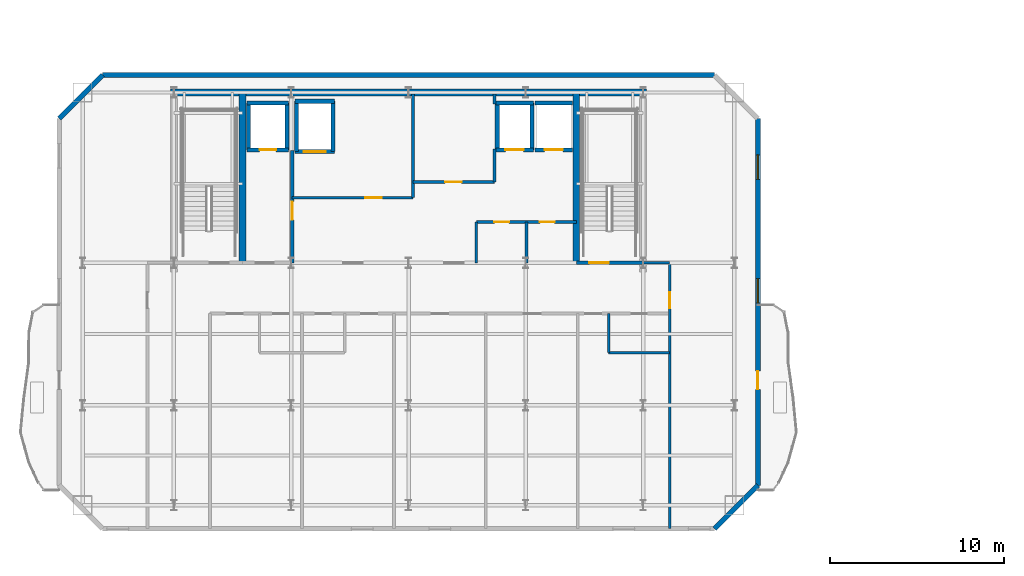
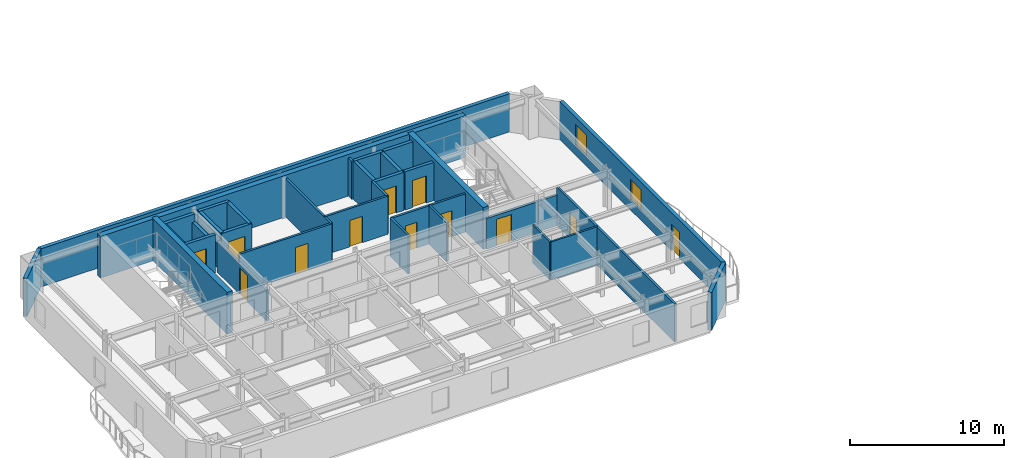
# One storey, part 7 of 14: 35 walls, 12 doors, 2 windows, 14 openings.
"""IFC4 building model written with IfcOpenShell, lengths in metres."""

from ifc_helpers import new_model, si_unit, direction, frame, frame_2d, origin, place, context, subcontext, project, spatial, rectangle, extrude, material, layer, layer_set, type_object, element, fill, save


model = new_model("IFC4")

# Units and contexts
model_context = context("Model", 3, precision=1e-05, world=origin(), true_north=direction((0.0, 1.0)))
body_context = subcontext(model_context, "Body", "Model", "MODEL_VIEW")
ifc_project = project(units=[si_unit("LENGTHUNIT", "METRE"), si_unit("AREAUNIT", "SQUARE_METRE"), si_unit("VOLUMEUNIT", "CUBIC_METRE"), si_unit("PLANEANGLEUNIT", "RADIAN"), si_unit("MASSUNIT", "GRAM", prefix="KILO")], contexts=[model_context])

# Site, building, storey
site_placement = place(None, origin())
site = spatial("IfcSite", under=ifc_project, at=site_placement, CompositionType="ELEMENT")
building_placement = place(site_placement, origin())
building = spatial("IfcBuilding", under=site, at=building_placement, Name="Haevon Station Towers", CompositionType="ELEMENT")
storey_placement = place(building_placement, frame((0.0, 0.0, 231.89990234375)))
storey = spatial("IfcBuildingStorey", under=building, at=storey_placement, Name="L64", CompositionType="ELEMENT", Elevation=231.89990234375)

# Wall, opening, door
ifc_material_1 = material(Name="Gypsum board on steel stud", Category="steel")
ifc_layer_1 = layer(ifc_material_1, 0.199951171875)
ifc_layer_set_1 = layer_set([ifc_layer_1], Name="Gypsum board on steel stud")
wall_type_1 = type_object("IfcWallType", Name="WL-COR200", PredefinedType="PARTITIONING", material=ifc_layer_set_1)
wall_1_placement = place(storey_placement, frame((47.14990234375, 38.199951171875, 0.0), z_axis=(0.0, 0.0, 1.0), x_axis=(1.0, 0.0, 0.0)))
wall_1 = element("IfcWall", 1, at=wall_1_placement, inside=storey, type_object=wall_type_1, Name="WL-ST-ST2-L64", PredefinedType="PARTITIONING", context=body_context, shape_type="SweptSolid", body=[
    extrude(rectangle(XDim=3.85009765625, YDim=0.199951171875, at=frame_2d((1.925048828125, 0.0))), origin(), (0.0, 0.0, 1.0), 2.43017578125),
])
opening_1_placement = place(wall_1_placement, frame((0.75, 0.0, 0.0)))
opening_1 = element("IfcOpeningElement", 2, at=opening_1_placement, cuts=wall_1, Name="Opening DR-ST-ST2-L64", PredefinedType="OPENING", context=body_context, shape_type="SweptSolid", body=[
    extrude(rectangle(XDim=1.1201171875, YDim=2.10009765625, at=frame_2d((0.56005859375, 1.050048828125))), frame((0.0, 0.10986328125, 0.0), z_axis=(0.0, -1.0, 0.0), x_axis=(1.0, 0.0, 0.0)), (0.0, 0.0, 1.0), 0.219970703125),
])
ifc_material_2 = material(Name="Engineered oak timber", Category="wood")
door_type_1 = type_object("IfcDoorType", Name="DR-ST-1120", OperationType="NOTDEFINED", PredefinedType="DOOR", material=ifc_material_2)
door_1_placement = place(opening_1_placement, origin())
door_1 = element("IfcDoor", 3, at=door_1_placement, inside=storey, type_object=door_type_1, Name="L64 Escape Stair ST2 Fire Door", OperationType="SINGLE_SWING_LEFT", OverallHeight=2.10009765625, OverallWidth=1.1201171875, PredefinedType="DOOR", context=body_context, shape_type="SweptSolid", body=[
    extrude(rectangle(XDim=1.1201171875, YDim=2.10009765625, at=frame_2d((0.56005859375, 1.050048828125))), frame((0.0, 0.02490234375, 0.0), z_axis=(0.0, -1.0, 0.0), x_axis=(1.0, 0.0, 0.0)), (0.0, 0.0, 1.0), 0.050048828125),
])
fill(opening_1, door_1)

wall_2_placement = place(storey_placement, frame((30.800048828125, 38.199951171875, 0.0), z_axis=(0.0, 0.0, 1.0), x_axis=(0.0, 1.0, 0.0)))
wall_2 = element("IfcWall", 4, at=wall_2_placement, inside=storey, type_object=wall_type_1, Name="WL-T1FFL-L64-E", PredefinedType="PARTITIONING", context=body_context, shape_type="SweptSolid", body=[
    extrude(rectangle(XDim=6.449951171875, YDim=0.199951171875, at=frame_2d((3.22509765625, 0.0))), origin(), (0.0, 0.0, 1.0), 2.43017578125),
])
opening_2_placement = place(wall_2_placement, frame((2.469970703125, 0.0, 0.0)))
opening_2 = element("IfcOpeningElement", 5, at=opening_2_placement, cuts=wall_2, Name="Opening DR-T1FFL-L64-E", PredefinedType="OPENING", context=body_context, shape_type="SweptSolid", body=[
    extrude(rectangle(XDim=1.050048828125, YDim=2.10009765625, at=frame_2d((0.52490234375, 1.050048828125))), frame((0.0, 0.10986328125, 0.0), z_axis=(0.0, -1.0, 0.0), x_axis=(1.0, 0.0, 0.0)), (0.0, 0.0, 1.0), 0.219970703125),
])
door_type_2 = type_object("IfcDoorType", Name="DR-FD60-1050", OperationType="NOTDEFINED", PredefinedType="DOOR", material=ifc_material_2)
door_2_placement = place(opening_2_placement, origin())
door_2 = element("IfcDoor", 6, at=door_2_placement, inside=storey, type_object=door_type_2, Name="L64 Tower 1 Firefighting Lift Lobby Door E", OperationType="SINGLE_SWING_RIGHT", OverallHeight=2.10009765625, OverallWidth=1.050048828125, PredefinedType="DOOR", context=body_context, shape_type="SweptSolid", body=[
    extrude(rectangle(XDim=1.050048828125, YDim=2.10009765625, at=frame_2d((0.52490234375, 1.050048828125))), frame((0.0, 0.02490234375, 0.0), z_axis=(0.0, -1.0, 0.0), x_axis=(1.0, 0.0, 0.0)), (0.0, 0.0, 1.0), 0.050048828125),
])
fill(opening_2, door_2)

# Walls
ifc_material_3 = material(Name="Concrete C60/75", Category="concrete")
ifc_layer_2 = layer(ifc_material_3, 0.39990234375)
ifc_layer_set_2 = layer_set([ifc_layer_2], Name="Concrete C60/75")
wall_type_2 = type_object("IfcWallType", Name="WL-CR400", PredefinedType="SHEAR", material=ifc_layer_set_2)
wall_3_placement = place(storey_placement, frame((23.800048828125, 48.0, 0.0), z_axis=(0.0, 0.0, 1.0), x_axis=(1.0, 0.0, 0.0)))
element("IfcWall", 7, at=wall_3_placement, inside=storey, type_object=wall_type_2, Name="WL-T1CR-L64-N", PredefinedType="SHEAR", context=body_context, shape_type="SweptSolid", body=[
    extrude(rectangle(XDim=27.39990234375, YDim=0.39990234375, at=frame_2d((13.699951171875, 0.0))), origin(), (0.0, 0.0, 1.0), 3.300048828125),
])
for number, where, z_axis, x_axis, name in (
    (8, (27.949951171875, 38.199951171875, 0.0), (0.0, 0.0, 1.0), (0.0, 1.0, 0.0), "WL-T1CR-L64-M1"),
    (9, (47.14990234375, 38.199951171875, 0.0), (0.0, 0.0, 1.0), (0.0, 1.0, 0.0), "WL-T1CR-L64-M2"),
):
    element("IfcWall", number, at=place(storey_placement, frame(where, z_axis=z_axis, x_axis=x_axis)), inside=storey, type_object=wall_type_2, Name=name, PredefinedType="SHEAR", context=body_context, shape_type="SweptSolid", body=[
        extrude(rectangle(XDim=9.800048828125, YDim=0.39990234375, at=frame_2d((4.89990234375, 0.0))), origin(), (0.0, 0.0, 1.0), 3.300048828125),
    ])
ifc_material_4 = material(Name="Precast concrete C45/55", Category="concrete")
ifc_layer_3 = layer(ifc_material_4, 0.280029296875)
ifc_layer_set_3 = layer_set([ifc_layer_3], Name="Precast concrete C45/55")
wall_type_3 = type_object("IfcWallType", Name="WL-EXT-PIER280", PredefinedType="SOLIDWALL", material=ifc_layer_set_3)
wall_4_placement = place(storey_placement, frame((17.39990234375, 46.5, 0.0), z_axis=(0.0, 0.0, 1.0), x_axis=(0.707106781187, 0.707106781187, 0.0)))
element("IfcWall", 10, at=wall_4_placement, inside=storey, type_object=wall_type_3, Name="WL-T1-L64-NWC", PredefinedType="SOLIDWALL", context=body_context, shape_type="SweptSolid", body=[
    extrude(rectangle(XDim=3.53564453125, YDim=0.280029296875, at=frame_2d((1.767822265625, 0.0))), origin(), (0.0, 0.0, 1.0), 3.030029296875),
])
wall_5_placement = place(storey_placement, frame((19.89990234375, 49.0, 0.0), z_axis=(0.0, 0.0, 1.0), x_axis=(1.0, 0.0, 0.0)))
element("IfcWall", 11, at=wall_5_placement, inside=storey, type_object=wall_type_3, Name="WL-T1-L64-N", PredefinedType="SOLIDWALL", context=body_context, shape_type="SweptSolid", body=[
    extrude(rectangle(XDim=35.2001953125, YDim=0.280029296875, at=frame_2d((17.60009765625, 0.0))), origin(), (0.0, 0.0, 1.0), 3.030029296875),
])

# Wall, openings, door, windows
wall_6_placement = place(storey_placement, frame((57.60009765625, 46.5, 0.0), z_axis=(0.0, 0.0, 1.0), x_axis=(0.0, -1.0, 0.0)))
wall_6 = element("IfcWall", 12, at=wall_6_placement, inside=storey, type_object=wall_type_3, Name="WL-T1-L64-E", PredefinedType="SOLIDWALL", context=body_context, shape_type="SweptSolid", body=[
    extrude(rectangle(XDim=21.10009765625, YDim=0.280029296875, at=frame_2d((10.550048828125, 0.0))), origin(), (0.0, 0.0, 1.0), 3.030029296875),
])
opening_3_placement = place(wall_6_placement, frame((14.52490234375, 0.0, 0.0)))
opening_3 = element("IfcOpeningElement", 13, at=opening_3_placement, cuts=wall_6, Name="Opening DR-T1-SCAL-L64-E", PredefinedType="OPENING", context=body_context, shape_type="SweptSolid", body=[
    extrude(rectangle(XDim=1.050048828125, YDim=2.10009765625, at=frame_2d((0.52490234375, 1.050048828125))), frame((0.0, 0.14990234375, 0.0), z_axis=(0.0, -1.0, 0.0), x_axis=(1.0, 0.0, 0.0)), (0.0, 0.0, 1.0), 0.300048828125),
])
opening_4_placement = place(wall_6_placement, frame((2.093017578125, 0.0, 0.800048828125)))
opening_4 = element("IfcOpeningElement", 14, at=opening_4_placement, cuts=wall_6, Name="Opening WN-END140", PredefinedType="OPENING", context=body_context, shape_type="SweptSolid", body=[
    extrude(rectangle(XDim=1.39990234375, YDim=1.64990234375, at=frame_2d((0.699951171875, 0.824951171875))), frame((0.0, 0.14990234375, 0.0), z_axis=(0.0, -1.0, 0.0), x_axis=(1.0, 0.0, 0.0)), (0.0, 0.0, 1.0), 0.300048828125),
])
opening_5_placement = place(wall_6_placement, frame((9.20361328125, 0.0, 0.800048828125)))
opening_5 = element("IfcOpeningElement", 15, at=opening_5_placement, cuts=wall_6, Name="Opening WN-END140", PredefinedType="OPENING", context=body_context, shape_type="SweptSolid", body=[
    extrude(rectangle(XDim=1.39990234375, YDim=1.64990234375, at=frame_2d((0.699951171875, 0.824951171875))), frame((0.0, 0.14990234375, 0.0), z_axis=(0.0, -1.0, 0.0), x_axis=(1.0, 0.0, 0.0)), (0.0, 0.0, 1.0), 0.300048828125),
])
ifc_material_5 = material(Name="Thermally broken anodised aluminium and laminated safety glass", Category="aluminium")
door_type_3 = type_object("IfcDoorType", Name="DR-BALC-1050", OperationType="NOTDEFINED", PredefinedType="DOOR", material=ifc_material_5)
door_3_placement = place(opening_3_placement, origin())
door_3 = element("IfcDoor", 16, at=door_3_placement, inside=storey, type_object=door_type_3, Name="Tower 1 L64 East Scalloped Balcony Door", OperationType="SINGLE_SWING_LEFT", OverallHeight=2.10009765625, OverallWidth=1.050048828125, PredefinedType="DOOR", context=body_context, shape_type="SweptSolid", body=[
    extrude(rectangle(XDim=1.050048828125, YDim=2.10009765625, at=frame_2d((0.52490234375, 1.050048828125))), frame((0.0, 0.02490234375, 0.0), z_axis=(0.0, -1.0, 0.0), x_axis=(1.0, 0.0, 0.0)), (0.0, 0.0, 1.0), 0.050048828125),
])
fill(opening_3, door_3)
ifc_material_6 = material(Name="Low-E triple glazing in thermally broken aluminium", Category="aluminium")
window_type = type_object("IfcWindowType", Name="WN-END140", PartitioningType="SINGLE_PANEL", PredefinedType="WINDOW", material=ifc_material_6)
window_1_placement = place(opening_4_placement, origin())
window_1 = element("IfcWindow", 17, at=window_1_placement, inside=storey, type_object=window_type, Name="WN-T1-L64-E01", OverallHeight=1.64990234375, OverallWidth=1.39990234375, PartitioningType="SINGLE_PANEL", PredefinedType="WINDOW", context=body_context, shape_type="SweptSolid", body=[
    extrude(rectangle(XDim=1.39990234375, YDim=1.64990234375, at=frame_2d((0.699951171875, 0.824951171875))), frame((0.0, 0.030029296875, 0.0), z_axis=(0.0, -1.0, 0.0), x_axis=(1.0, 0.0, 0.0)), (0.0, 0.0, 1.0), 0.06005859375),
])
fill(opening_4, window_1)
window_2_placement = place(opening_5_placement, origin())
window_2 = element("IfcWindow", 18, at=window_2_placement, inside=storey, type_object=window_type, Name="WN-T1-L64-E02", OverallHeight=1.64990234375, OverallWidth=1.39990234375, PartitioningType="SINGLE_PANEL", PredefinedType="WINDOW", context=body_context, shape_type="SweptSolid", body=[
    extrude(rectangle(XDim=1.39990234375, YDim=1.64990234375, at=frame_2d((0.699951171875, 0.824951171875))), frame((0.0, 0.030029296875, 0.0), z_axis=(0.0, -1.0, 0.0), x_axis=(1.0, 0.0, 0.0)), (0.0, 0.0, 1.0), 0.06005859375),
])
fill(opening_5, window_2)

# Walls
wall_7_placement = place(storey_placement, frame((57.60009765625, 25.39990234375, 0.0), z_axis=(0.0, 0.0, 1.0), x_axis=(-0.707106781187, -0.707106781187, 0.0)))
element("IfcWall", 19, at=wall_7_placement, inside=storey, type_object=wall_type_3, Name="WL-T1-L64-SEC", PredefinedType="SOLIDWALL", context=body_context, shape_type="SweptSolid", body=[
    extrude(rectangle(XDim=3.53564453125, YDim=0.280029296875, at=frame_2d((1.767822265625, 0.0))), origin(), (0.0, 0.0, 1.0), 3.030029296875),
])
ifc_layer_4 = layer(ifc_material_1, 0.125)
ifc_layer_set_4 = layer_set([ifc_layer_4], Name="Gypsum board on steel stud")
wall_type_4 = type_object("IfcWallType", Name="WL-PRT125", PredefinedType="PARTITIONING", material=ifc_layer_set_4)
wall_8_placement = place(storey_placement, frame((49.01611328125, 33.030029296875, 0.0), z_axis=(0.0, 0.0, 1.0), x_axis=(0.0, 1.0, 0.0)))
element("IfcWall", 20, at=wall_8_placement, inside=storey, type_object=wall_type_4, Name="WL-T1PT-L64-15", PredefinedType="PARTITIONING", context=body_context, shape_type="SweptSolid", body=[
    extrude(rectangle(XDim=2.25, YDim=0.125, at=frame_2d((1.125, 0.0))), origin(), (0.0, 0.0, 1.0), 3.030029296875),
])
ifc_layer_5 = layer(ifc_material_1, 0.139892578125)
ifc_layer_set_5 = layer_set([ifc_layer_5], Name="Gypsum board on steel stud")
wall_type_5 = type_object("IfcWallType", Name="WL-PRT140", PredefinedType="PARTITIONING", material=ifc_layer_set_5)
wall_9_placement = place(storey_placement, frame((49.01611328125, 33.030029296875, 0.0), z_axis=(0.0, 0.0, 1.0), x_axis=(1.0, 0.0, 0.0)))
element("IfcWall", 21, at=wall_9_placement, inside=storey, type_object=wall_type_5, Name="WL-T1PT-L64-14", PredefinedType="PARTITIONING", context=body_context, shape_type="SweptSolid", body=[
    extrude(rectangle(XDim=3.5087890625, YDim=0.139892578125, at=frame_2d((1.75439453125, 0.0))), origin(), (0.0, 0.0, 1.0), 3.030029296875),
])

# Wall, opening, door
ifc_layer_6 = layer(ifc_material_1, 0.159912109375)
ifc_layer_set_6 = layer_set([ifc_layer_6], Name="Gypsum board on steel stud")
wall_type_6 = type_object("IfcWallType", Name="WL-PRT160", PredefinedType="PARTITIONING", material=ifc_layer_set_6)
wall_10_placement = place(storey_placement, frame((30.800048828125, 41.949951171875, 0.0), z_axis=(0.0, 0.0, 1.0), x_axis=(1.0, 0.0, 0.0)))
wall_10 = element("IfcWall", 22, at=wall_10_placement, inside=storey, type_object=wall_type_6, Name="WL-T1CW-L64-01", PredefinedType="PARTITIONING", context=body_context, shape_type="SweptSolid", body=[
    extrude(rectangle(XDim=6.949951171875, YDim=0.159912109375, at=frame_2d((3.47509765625, 0.0))), origin(), (0.0, 0.0, 1.0), 3.030029296875),
])
opening_6_placement = place(wall_10_placement, frame((4.199951171875, 0.0, 0.0)))
opening_6 = element("IfcOpeningElement", 23, at=opening_6_placement, cuts=wall_10, Name="Opening DR-WL-T1CW-L64-01-1", PredefinedType="OPENING", context=body_context, shape_type="SweptSolid", body=[
    extrude(rectangle(XDim=0.949951171875, YDim=2.10009765625, at=frame_2d((0.47509765625, 1.050048828125))), frame((0.0, 0.08984375, 0.0), z_axis=(0.0, -1.0, 0.0), x_axis=(1.0, 0.0, 0.0)), (0.0, 0.0, 1.0), 0.179931640625),
])
door_type_4 = type_object("IfcDoorType", Name="DR-FD60-950", OperationType="NOTDEFINED", PredefinedType="DOOR", material=ifc_material_2)
door_4_placement = place(opening_6_placement, origin())
door_4 = element("IfcDoor", 24, at=door_4_placement, inside=storey, type_object=door_type_4, Name="L64 Tower 1 Core Room Door 1-1", OperationType="SINGLE_SWING_RIGHT", OverallHeight=2.10009765625, OverallWidth=0.949951171875, PredefinedType="DOOR", context=body_context, shape_type="SweptSolid", body=[
    extrude(rectangle(XDim=0.949951171875, YDim=2.10009765625, at=frame_2d((0.47509765625, 1.050048828125))), frame((0.0, 0.02490234375, 0.0), z_axis=(0.0, -1.0, 0.0), x_axis=(1.0, 0.0, 0.0)), (0.0, 0.0, 1.0), 0.050048828125),
])
fill(opening_6, door_4)

# Wall
wall_11_placement = place(storey_placement, frame((37.75, 41.949951171875, 0.0), z_axis=(0.0, 0.0, 1.0), x_axis=(0.0, 1.0, 0.0)))
element("IfcWall", 25, at=wall_11_placement, inside=storey, type_object=wall_type_6, Name="WL-T1CW-L64-02", PredefinedType="PARTITIONING", context=body_context, shape_type="SweptSolid", body=[
    extrude(rectangle(XDim=5.949951171875, YDim=0.159912109375, at=frame_2d((2.97509765625, 0.0))), origin(), (0.0, 0.0, 1.0), 3.030029296875),
])

# Wall, opening, door
wall_12_placement = place(storey_placement, frame((37.75, 42.85009765625, 0.0), z_axis=(0.0, 0.0, 1.0), x_axis=(1.0, 0.0, 0.0)))
wall_12 = element("IfcWall", 26, at=wall_12_placement, inside=storey, type_object=wall_type_6, Name="WL-T1CW-L64-03", PredefinedType="PARTITIONING", context=body_context, shape_type="SweptSolid", body=[
    extrude(rectangle(XDim=4.699951171875, YDim=0.159912109375, at=frame_2d((2.35009765625, 0.0))), origin(), (0.0, 0.0, 1.0), 3.030029296875),
])
opening_7_placement = place(wall_12_placement, frame((1.85009765625, 0.0, 0.0)))
opening_7 = element("IfcOpeningElement", 27, at=opening_7_placement, cuts=wall_12, Name="Opening DR-WL-T1CW-L64-03-1", PredefinedType="OPENING", context=body_context, shape_type="SweptSolid", body=[
    extrude(rectangle(XDim=0.949951171875, YDim=2.10009765625, at=frame_2d((0.47509765625, 1.050048828125))), frame((0.0, 0.08984375, 0.0), z_axis=(0.0, -1.0, 0.0), x_axis=(1.0, 0.0, 0.0)), (0.0, 0.0, 1.0), 0.179931640625),
])
door_5_placement = place(opening_7_placement, origin())
door_5 = element("IfcDoor", 28, at=door_5_placement, inside=storey, type_object=door_type_4, Name="L64 Tower 1 Core Room Door 3-1", OperationType="SINGLE_SWING_LEFT", OverallHeight=2.10009765625, OverallWidth=0.949951171875, PredefinedType="DOOR", context=body_context, shape_type="SweptSolid", body=[
    extrude(rectangle(XDim=0.949951171875, YDim=2.10009765625, at=frame_2d((0.47509765625, 1.050048828125))), frame((0.0, 0.02490234375, 0.0), z_axis=(0.0, -1.0, 0.0), x_axis=(1.0, 0.0, 0.0)), (0.0, 0.0, 1.0), 0.050048828125),
])
fill(opening_7, door_5)

# Walls
wall_13_placement = place(storey_placement, frame((42.449951171875, 42.85009765625, 0.0), z_axis=(0.0, 0.0, 1.0), x_axis=(0.0, 1.0, 0.0)))
element("IfcWall", 29, at=wall_13_placement, inside=storey, type_object=wall_type_6, Name="WL-T1CW-L64-04", PredefinedType="PARTITIONING", context=body_context, shape_type="SweptSolid", body=[
    extrude(rectangle(XDim=1.89990234375, YDim=0.159912109375, at=frame_2d((0.949951171875, 0.0))), origin(), (0.0, 0.0, 1.0), 3.030029296875),
])
wall_14_placement = place(storey_placement, frame((42.449951171875, 47.35009765625, 0.0), z_axis=(0.0, 0.0, 1.0), x_axis=(0.0, 1.0, 0.0)))
element("IfcWall", 30, at=wall_14_placement, inside=storey, type_object=wall_type_6, Name="WL-T1CW-L64-05", PredefinedType="PARTITIONING", context=body_context, shape_type="SweptSolid", body=[
    extrude(rectangle(XDim=0.5498046875, YDim=0.159912109375, at=frame_2d((0.27490234375, 0.0))), origin(), (0.0, 0.0, 1.0), 3.030029296875),
])
for number, where, z_axis, x_axis, name in (
    (31, (41.39990234375, 38.199951171875, 0.0), (0.0, 0.0, 1.0), (0.0, 1.0, 0.0), "WL-T1CW-L64-06"),
    (32, (44.280029296875, 38.199951171875, 0.0), (0.0, 0.0, 1.0), (0.0, 1.0, 0.0), "WL-T1CW-L64-07"),
):
    element("IfcWall", number, at=place(storey_placement, frame(where, z_axis=z_axis, x_axis=x_axis)), inside=storey, type_object=wall_type_6, Name=name, PredefinedType="PARTITIONING", context=body_context, shape_type="SweptSolid", body=[
        extrude(rectangle(XDim=2.35009765625, YDim=0.159912109375, at=frame_2d((1.175048828125, 0.0))), origin(), (0.0, 0.0, 1.0), 3.030029296875),
    ])

# Wall, openings, doors
wall_15_placement = place(storey_placement, frame((41.39990234375, 40.550048828125, 0.0), z_axis=(0.0, 0.0, 1.0), x_axis=(1.0, 0.0, 0.0)))
wall_15 = element("IfcWall", 33, at=wall_15_placement, inside=storey, type_object=wall_type_6, Name="WL-T1CW-L64-08", PredefinedType="PARTITIONING", context=body_context, shape_type="SweptSolid", body=[
    extrude(rectangle(XDim=5.75, YDim=0.159912109375, at=frame_2d((2.875, 0.0))), origin(), (0.0, 0.0, 1.0), 3.030029296875),
])
opening_8_placement = place(wall_15_placement, frame((1.034912109375, 0.0, 0.0)))
opening_8 = element("IfcOpeningElement", 34, at=opening_8_placement, cuts=wall_15, Name="Opening DR-WL-T1CW-L64-08-1", PredefinedType="OPENING", context=body_context, shape_type="SweptSolid", body=[
    extrude(rectangle(XDim=0.85009765625, YDim=2.050048828125, at=frame_2d((0.425048828125, 1.02490234375))), frame((0.0, 0.08984375, 0.0), z_axis=(0.0, -1.0, 0.0), x_axis=(1.0, 0.0, 0.0)), (0.0, 0.0, 1.0), 0.179931640625),
])
opening_9_placement = place(wall_15_placement, frame((3.655029296875, 0.0, 0.0)))
opening_9 = element("IfcOpeningElement", 35, at=opening_9_placement, cuts=wall_15, Name="Opening DR-WL-T1CW-L64-08-2", PredefinedType="OPENING", context=body_context, shape_type="SweptSolid", body=[
    extrude(rectangle(XDim=0.85009765625, YDim=2.050048828125, at=frame_2d((0.425048828125, 1.02490234375))), frame((0.0, 0.08984375, 0.0), z_axis=(0.0, -1.0, 0.0), x_axis=(1.0, 0.0, 0.0)), (0.0, 0.0, 1.0), 0.179931640625),
])
door_type_5 = type_object("IfcDoorType", Name="DR-FD30-850", OperationType="NOTDEFINED", PredefinedType="DOOR", material=ifc_material_2)
door_6_placement = place(opening_8_placement, origin())
door_6 = element("IfcDoor", 36, at=door_6_placement, inside=storey, type_object=door_type_5, Name="L64 Tower 1 Core Room Door 8-1", OperationType="SINGLE_SWING_RIGHT", OverallHeight=2.050048828125, OverallWidth=0.85009765625, PredefinedType="DOOR", context=body_context, shape_type="SweptSolid", body=[
    extrude(rectangle(XDim=0.85009765625, YDim=2.050048828125, at=frame_2d((0.425048828125, 1.02490234375))), frame((0.0, 0.02490234375, 0.0), z_axis=(0.0, -1.0, 0.0), x_axis=(1.0, 0.0, 0.0)), (0.0, 0.0, 1.0), 0.050048828125),
])
fill(opening_8, door_6)
door_7_placement = place(opening_9_placement, origin())
door_7 = element("IfcDoor", 37, at=door_7_placement, inside=storey, type_object=door_type_5, Name="L64 Tower 1 Core Room Door 8-2", OperationType="SINGLE_SWING_LEFT", OverallHeight=2.050048828125, OverallWidth=0.85009765625, PredefinedType="DOOR", context=body_context, shape_type="SweptSolid", body=[
    extrude(rectangle(XDim=0.85009765625, YDim=2.050048828125, at=frame_2d((0.425048828125, 1.02490234375))), frame((0.0, 0.02490234375, 0.0), z_axis=(0.0, -1.0, 0.0), x_axis=(1.0, 0.0, 0.0)), (0.0, 0.0, 1.0), 0.050048828125),
])
fill(opening_9, door_7)

# Wall
wall_16_placement = place(storey_placement, frame((51.0, 38.199951171875, 0.0), z_axis=(0.0, 0.0, 1.0), x_axis=(1.0, 0.0, 0.0)))
element("IfcWall", 38, at=wall_16_placement, inside=storey, type_object=wall_type_6, Name="WL-T1PT-L64-03", PredefinedType="PARTITIONING", context=body_context, shape_type="SweptSolid", body=[
    extrude(rectangle(XDim=1.52490234375, YDim=0.159912109375, at=frame_2d((0.762451171875, 0.0))), origin(), (0.0, 0.0, 1.0), 2.43017578125),
])

# Wall, opening, door
wall_17_placement = place(storey_placement, frame((52.52490234375, 22.89990234375, 0.0), z_axis=(0.0, 0.0, 1.0), x_axis=(0.0, 1.0, 0.0)))
wall_17 = element("IfcWall", 39, at=wall_17_placement, inside=storey, type_object=wall_type_6, Name="WL-T1PT-L64-05", PredefinedType="PARTITIONING", context=body_context, shape_type="SweptSolid", body=[
    extrude(rectangle(XDim=15.300048828125, YDim=0.159912109375, at=frame_2d((7.64990234375, 0.0))), origin(), (0.0, 0.0, 1.0), 3.030029296875),
])
opening_10_placement = place(wall_17_placement, frame((12.699951171875, 0.0, 0.0)))
opening_10 = element("IfcOpeningElement", 40, at=opening_10_placement, cuts=wall_17, Name="Opening DR-WL-T1PT-L64-05-01", PredefinedType="OPENING", context=body_context, shape_type="SweptSolid", body=[
    extrude(rectangle(XDim=0.89990234375, YDim=2.050048828125, at=frame_2d((0.449951171875, 1.02490234375))), frame((0.0, 0.08984375, 0.0), z_axis=(0.0, -1.0, 0.0), x_axis=(1.0, 0.0, 0.0)), (0.0, 0.0, 1.0), 0.179931640625),
])
door_type_6 = type_object("IfcDoorType", Name="DR-INT-900", OperationType="NOTDEFINED", PredefinedType="DOOR", material=ifc_material_2)
door_8_placement = place(opening_10_placement, origin())
door_8 = element("IfcDoor", 41, at=door_8_placement, inside=storey, type_object=door_type_6, Name="L64 Tower 1 Room Door 5-1", OperationType="SINGLE_SWING_LEFT", OverallHeight=2.050048828125, OverallWidth=0.89990234375, PredefinedType="DOOR", context=body_context, shape_type="SweptSolid", body=[
    extrude(rectangle(XDim=0.89990234375, YDim=2.050048828125, at=frame_2d((0.449951171875, 1.02490234375))), frame((0.0, 0.02490234375, 0.0), z_axis=(0.0, -1.0, 0.0), x_axis=(1.0, 0.0, 0.0)), (0.0, 0.0, 1.0), 0.050048828125),
])
fill(opening_10, door_8)

ifc_material_7 = material(Name="Concrete C40/50", Category="concrete")
ifc_layer_7 = layer(ifc_material_7, 0.239990234375)
ifc_layer_set_7 = layer_set([ifc_layer_7], Name="Concrete C40/50")
wall_type_7 = type_object("IfcWallType", Name="WL-SHF240", PredefinedType="PARTITIONING", material=ifc_layer_set_7)
wall_18_placement = place(storey_placement, frame((28.219970703125, 44.699951171875, 0.0), z_axis=(0.0, 0.0, 1.0), x_axis=(1.0, 0.0, 0.0)))
wall_18 = element("IfcWall", 42, at=wall_18_placement, inside=storey, type_object=wall_type_7, Name="WL-SHF-FL1-L64", PredefinedType="PARTITIONING", context=body_context, shape_type="SweptSolid", body=[
    extrude(rectangle(XDim=2.360107421875, YDim=0.239990234375, at=frame_2d((1.18017578125, 0.0))), origin(), (0.0, 0.0, 1.0), 3.030029296875),
])
opening_11_placement = place(wall_18_placement, frame((0.705078125, 0.0, 0.0)))
opening_11 = element("IfcOpeningElement", 43, at=opening_11_placement, cuts=wall_18, Name="Opening LD-FL1-L64", PredefinedType="OPENING", context=body_context, shape_type="SweptSolid", body=[
    extrude(rectangle(XDim=0.949951171875, YDim=2.14990234375, at=frame_2d((0.47509765625, 1.074951171875))), frame((0.0, 0.1298828125, 0.0), z_axis=(0.0, -1.0, 0.0), x_axis=(1.0, 0.0, 0.0)), (0.0, 0.0, 1.0), 0.260009765625),
])
ifc_material_8 = material(Name="Stainless steel and rated core", Category="steel")
door_type_7 = type_object("IfcDoorType", Name="LD-FL950", OperationType="SLIDING_TO_LEFT", PredefinedType="DOOR", material=ifc_material_8)
door_9_placement = place(opening_11_placement, origin())
door_9 = element("IfcDoor", 44, at=door_9_placement, inside=storey, type_object=door_type_7, Name="L64 Lift FL1 Sliding Landing Door", OperationType="SLIDING_TO_LEFT", OverallHeight=2.14990234375, OverallWidth=0.949951171875, PredefinedType="DOOR", context=body_context, shape_type="SweptSolid", body=[
    extrude(rectangle(XDim=0.949951171875, YDim=2.14990234375, at=frame_2d((0.47509765625, 1.074951171875))), frame((0.0, 0.02490234375, 0.0), z_axis=(0.0, -1.0, 0.0), x_axis=(1.0, 0.0, 0.0)), (0.0, 0.0, 1.0), 0.050048828125),
])
fill(opening_11, door_9)

# Walls
wall_19_placement = place(storey_placement, frame((28.219970703125, 47.39990234375, 0.0), z_axis=(0.0, 0.0, 1.0), x_axis=(1.0, 0.0, 0.0)))
element("IfcWall", 45, at=wall_19_placement, inside=storey, type_object=wall_type_7, Name="WL-SHF-FL1-L64-N", PredefinedType="PARTITIONING", context=body_context, shape_type="SweptSolid", body=[
    extrude(rectangle(XDim=2.360107421875, YDim=0.239990234375, at=frame_2d((1.18017578125, 0.0))), origin(), (0.0, 0.0, 1.0), 3.030029296875),
])
wall_20_placement = place(storey_placement, frame((28.300048828125, 44.699951171875, 0.0), z_axis=(0.0, 0.0, 1.0), x_axis=(0.0, 1.0, 0.0)))
element("IfcWall", 46, at=wall_20_placement, inside=storey, type_object=wall_type_7, Name="WL-SHF-FL1-L64-W", PredefinedType="PARTITIONING", context=body_context, shape_type="SweptSolid", body=[
    extrude(rectangle(XDim=2.699951171875, YDim=0.239990234375, at=frame_2d((1.35009765625, 0.0))), origin(), (0.0, 0.0, 1.0), 3.030029296875),
])
wall_21_placement = place(storey_placement, frame((30.5, 44.699951171875, 0.0), z_axis=(0.0, 0.0, 1.0), x_axis=(0.0, 1.0, 0.0)))
element("IfcWall", 47, at=wall_21_placement, inside=storey, type_object=wall_type_7, Name="WL-SHF-FL1-L64-E", PredefinedType="PARTITIONING", context=body_context, shape_type="SweptSolid", body=[
    extrude(rectangle(XDim=2.699951171875, YDim=0.239990234375, at=frame_2d((1.35009765625, 0.0))), origin(), (0.0, 0.0, 1.0), 2.43017578125),
])

# Wall, opening, door
wall_22_placement = place(storey_placement, frame((30.969970703125, 44.60009765625, 0.0), z_axis=(0.0, 0.0, 1.0), x_axis=(1.0, 0.0, 0.0)))
wall_22 = element("IfcWall", 48, at=wall_22_placement, inside=storey, type_object=wall_type_7, Name="WL-SHF-SL1-L64", PredefinedType="PARTITIONING", context=body_context, shape_type="SweptSolid", body=[
    extrude(rectangle(XDim=2.260009765625, YDim=0.239990234375, at=frame_2d((1.1298828125, 0.0))), origin(), (0.0, 0.0, 1.0), 3.030029296875),
])
opening_12_placement = place(wall_22_placement, frame((0.5048828125, 0.0, 0.0)))
opening_12 = element("IfcOpeningElement", 49, at=opening_12_placement, cuts=wall_22, Name="Opening LD-SL1-L64", PredefinedType="OPENING", context=body_context, shape_type="SweptSolid", body=[
    extrude(rectangle(XDim=1.25, YDim=2.199951171875, at=frame_2d((0.625, 1.10009765625))), frame((0.0, 0.1298828125, 0.0), z_axis=(0.0, -1.0, 0.0), x_axis=(1.0, 0.0, 0.0)), (0.0, 0.0, 1.0), 0.260009765625),
])
door_type_8 = type_object("IfcDoorType", Name="LD-SL1250", OperationType="SLIDING_TO_LEFT", PredefinedType="DOOR", material=ifc_material_8)
door_10_placement = place(opening_12_placement, origin())
door_10 = element("IfcDoor", 50, at=door_10_placement, inside=storey, type_object=door_type_8, Name="L64 Lift SL1 Sliding Landing Door", OperationType="SLIDING_TO_LEFT", OverallHeight=2.199951171875, OverallWidth=1.25, PredefinedType="DOOR", context=body_context, shape_type="SweptSolid", body=[
    extrude(rectangle(XDim=1.25, YDim=2.199951171875, at=frame_2d((0.625, 1.10009765625))), frame((0.0, 0.02490234375, 0.0), z_axis=(0.0, -1.0, 0.0), x_axis=(1.0, 0.0, 0.0)), (0.0, 0.0, 1.0), 0.050048828125),
])
fill(opening_12, door_10)

# Walls
wall_23_placement = place(storey_placement, frame((30.969970703125, 47.5, 0.0), z_axis=(0.0, 0.0, 1.0), x_axis=(1.0, 0.0, 0.0)))
element("IfcWall", 51, at=wall_23_placement, inside=storey, type_object=wall_type_7, Name="WL-SHF-SL1-L64-N", PredefinedType="PARTITIONING", context=body_context, shape_type="SweptSolid", body=[
    extrude(rectangle(XDim=2.260009765625, YDim=0.239990234375, at=frame_2d((1.1298828125, 0.0))), origin(), (0.0, 0.0, 1.0), 3.030029296875),
])
for number, where, z_axis, x_axis, name in (
    (52, (31.050048828125, 44.60009765625, 0.0), (0.0, 0.0, 1.0), (0.0, 1.0, 0.0), "WL-SHF-SL1-L64-W"),
    (53, (33.14990234375, 44.60009765625, 0.0), (0.0, 0.0, 1.0), (0.0, 1.0, 0.0), "WL-SHF-SL1-L64-E"),
):
    element("IfcWall", number, at=place(storey_placement, frame(where, z_axis=z_axis, x_axis=x_axis)), inside=storey, type_object=wall_type_7, Name=name, PredefinedType="PARTITIONING", context=body_context, shape_type="SweptSolid", body=[
        extrude(rectangle(XDim=2.89990234375, YDim=0.239990234375, at=frame_2d((1.449951171875, 0.0))), origin(), (0.0, 0.0, 1.0), 3.030029296875),
    ])

# Wall, opening, door
wall_24_placement = place(storey_placement, frame((42.52001953125, 44.699951171875, 0.0), z_axis=(0.0, 0.0, 1.0), x_axis=(1.0, 0.0, 0.0)))
wall_24 = element("IfcWall", 54, at=wall_24_placement, inside=storey, type_object=wall_type_7, Name="WL-SHF-PL5-L64", PredefinedType="PARTITIONING", context=body_context, shape_type="SweptSolid", body=[
    extrude(rectangle(XDim=2.159912109375, YDim=0.239990234375, at=frame_2d((1.080078125, 0.0))), origin(), (0.0, 0.0, 1.0), 3.030029296875),
])
opening_13_placement = place(wall_24_placement, frame((0.554931640625, 0.0, 0.0)))
opening_13 = element("IfcOpeningElement", 55, at=opening_13_placement, cuts=wall_24, Name="Opening LD-PL5-L64", PredefinedType="OPENING", context=body_context, shape_type="SweptSolid", body=[
    extrude(rectangle(XDim=1.050048828125, YDim=2.14990234375, at=frame_2d((0.52490234375, 1.074951171875))), frame((0.0, 0.1298828125, 0.0), z_axis=(0.0, -1.0, 0.0), x_axis=(1.0, 0.0, 0.0)), (0.0, 0.0, 1.0), 0.260009765625),
])
door_type_9 = type_object("IfcDoorType", Name="LD-PL1050", OperationType="SLIDING_TO_LEFT", PredefinedType="DOOR", material=ifc_material_8)
door_11_placement = place(opening_13_placement, origin())
door_11 = element("IfcDoor", 56, at=door_11_placement, inside=storey, type_object=door_type_9, Name="L64 Lift PL5 Sliding Landing Door", OperationType="SLIDING_TO_LEFT", OverallHeight=2.14990234375, OverallWidth=1.050048828125, PredefinedType="DOOR", context=body_context, shape_type="SweptSolid", body=[
    extrude(rectangle(XDim=1.050048828125, YDim=2.14990234375, at=frame_2d((0.52490234375, 1.074951171875))), frame((0.0, 0.02490234375, 0.0), z_axis=(0.0, -1.0, 0.0), x_axis=(1.0, 0.0, 0.0)), (0.0, 0.0, 1.0), 0.050048828125),
])
fill(opening_13, door_11)

# Walls
wall_25_placement = place(storey_placement, frame((42.52001953125, 47.39990234375, 0.0), z_axis=(0.0, 0.0, 1.0), x_axis=(1.0, 0.0, 0.0)))
element("IfcWall", 57, at=wall_25_placement, inside=storey, type_object=wall_type_7, Name="WL-SHF-PL5-L64-N", PredefinedType="PARTITIONING", context=body_context, shape_type="SweptSolid", body=[
    extrude(rectangle(XDim=2.159912109375, YDim=0.239990234375, at=frame_2d((1.080078125, 0.0))), origin(), (0.0, 0.0, 1.0), 3.030029296875),
])
for number, where, z_axis, x_axis, name in (
    (58, (42.60009765625, 44.699951171875, 0.0), (0.0, 0.0, 1.0), (0.0, 1.0, 0.0), "WL-SHF-PL5-L64-W"),
    (59, (44.60009765625, 44.699951171875, 0.0), (0.0, 0.0, 1.0), (0.0, 1.0, 0.0), "WL-SHF-PL5-L64-E"),
):
    element("IfcWall", number, at=place(storey_placement, frame(where, z_axis=z_axis, x_axis=x_axis)), inside=storey, type_object=wall_type_7, Name=name, PredefinedType="PARTITIONING", context=body_context, shape_type="SweptSolid", body=[
        extrude(rectangle(XDim=2.699951171875, YDim=0.239990234375, at=frame_2d((1.35009765625, 0.0))), origin(), (0.0, 0.0, 1.0), 3.030029296875),
    ])

# Wall, opening, door
wall_26_placement = place(storey_placement, frame((44.77001953125, 44.699951171875, 0.0), z_axis=(0.0, 0.0, 1.0), x_axis=(1.0, 0.0, 0.0)))
wall_26 = element("IfcWall", 60, at=wall_26_placement, inside=storey, type_object=wall_type_7, Name="WL-SHF-PL6-L64", PredefinedType="PARTITIONING", context=body_context, shape_type="SweptSolid", body=[
    extrude(rectangle(XDim=2.159912109375, YDim=0.239990234375, at=frame_2d((1.080078125, 0.0))), origin(), (0.0, 0.0, 1.0), 3.030029296875),
])
opening_14_placement = place(wall_26_placement, frame((0.554931640625, 0.0, 0.0)))
opening_14 = element("IfcOpeningElement", 61, at=opening_14_placement, cuts=wall_26, Name="Opening LD-PL6-L64", PredefinedType="OPENING", context=body_context, shape_type="SweptSolid", body=[
    extrude(rectangle(XDim=1.050048828125, YDim=2.14990234375, at=frame_2d((0.52490234375, 1.074951171875))), frame((0.0, 0.1298828125, 0.0), z_axis=(0.0, -1.0, 0.0), x_axis=(1.0, 0.0, 0.0)), (0.0, 0.0, 1.0), 0.260009765625),
])
door_12_placement = place(opening_14_placement, origin())
door_12 = element("IfcDoor", 62, at=door_12_placement, inside=storey, type_object=door_type_9, Name="L64 Lift PL6 Sliding Landing Door", OperationType="SLIDING_TO_LEFT", OverallHeight=2.14990234375, OverallWidth=1.050048828125, PredefinedType="DOOR", context=body_context, shape_type="SweptSolid", body=[
    extrude(rectangle(XDim=1.050048828125, YDim=2.14990234375, at=frame_2d((0.52490234375, 1.074951171875))), frame((0.0, 0.02490234375, 0.0), z_axis=(0.0, -1.0, 0.0), x_axis=(1.0, 0.0, 0.0)), (0.0, 0.0, 1.0), 0.050048828125),
])
fill(opening_14, door_12)

# Wall
wall_27_placement = place(storey_placement, frame((44.77001953125, 47.39990234375, 0.0), z_axis=(0.0, 0.0, 1.0), x_axis=(1.0, 0.0, 0.0)))
element("IfcWall", 63, at=wall_27_placement, inside=storey, type_object=wall_type_7, Name="WL-SHF-PL6-L64-N", PredefinedType="PARTITIONING", context=body_context, shape_type="SweptSolid", body=[
    extrude(rectangle(XDim=2.159912109375, YDim=0.239990234375, at=frame_2d((1.080078125, 0.0))), origin(), (0.0, 0.0, 1.0), 3.030029296875),
])

save(model, "model.ifc")
